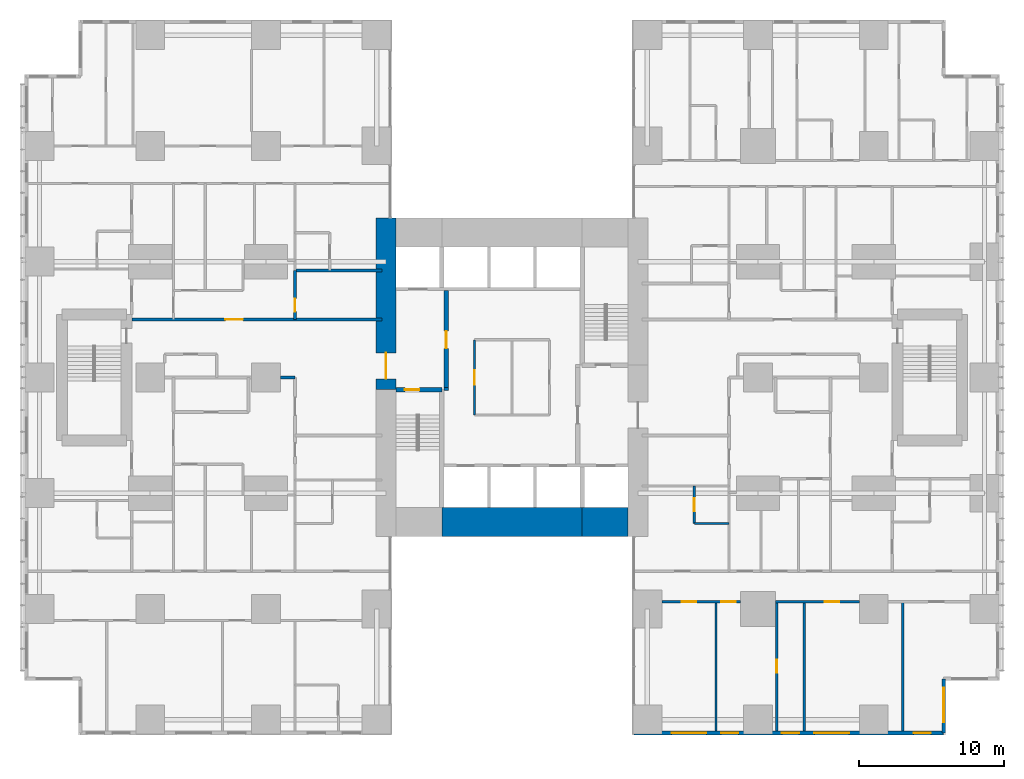
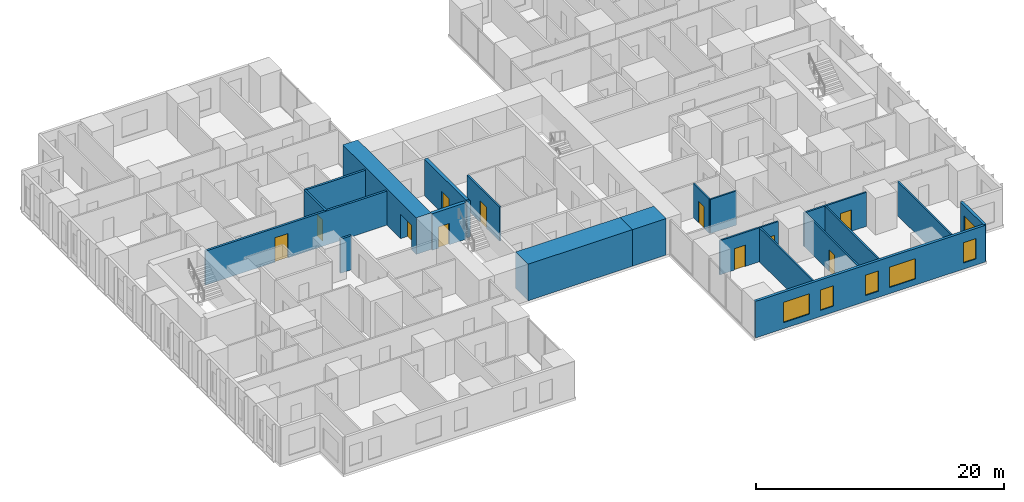
# One storey, part 14 of 21: 21 walls, 11 doors, 6 windows, 17 openings.
"""IFC4 building model written with IfcOpenShell, lengths in metres."""

from ifc_helpers import new_model, si_unit, direction, frame, frame_2d, origin, place, context, subcontext, project, spatial, rectangle, extrude, material, layer, layer_set, type_object, element, fill, save


model = new_model("IFC4")

# Units and contexts
model_context = context("Model", 3, precision=1e-05, world=origin(), true_north=direction((0.0, 1.0)))
body_context = subcontext(model_context, "Body", "Model", "MODEL_VIEW")
ifc_project = project(units=[si_unit("LENGTHUNIT", "METRE"), si_unit("AREAUNIT", "SQUARE_METRE"), si_unit("VOLUMEUNIT", "CUBIC_METRE"), si_unit("PLANEANGLEUNIT", "RADIAN"), si_unit("MASSUNIT", "GRAM", prefix="KILO")], contexts=[model_context])

# Site, building, storey
site_placement = place(None, origin())
site = spatial("IfcSite", under=ifc_project, at=site_placement, CompositionType="ELEMENT")
building_placement = place(site_placement, origin())
building = spatial("IfcBuilding", under=site, at=building_placement, Name="Cleftline Residences", CompositionType="ELEMENT")
storey_placement = place(building_placement, frame((0.0, 0.0, 65.60009765625)))
storey = spatial("IfcBuildingStorey", under=building, at=storey_placement, Name="L16", CompositionType="ELEMENT", Elevation=65.60009765625)

# Wall, opening, door
ifc_material_1 = material(Name="Concrete B70", Category="concrete")
ifc_layer_1 = layer(ifc_material_1, 1.39990234375)
ifc_layer_set_1 = layer_set([ifc_layer_1], Name="CORE WALL 1400")
wall_type_1 = type_object("IfcWallType", Name="CORE WALL 1400", PredefinedType="SHEAR", material=ifc_layer_set_1)
wall_1_placement = place(storey_placement, frame((24.300048828125, 23.14990234375, 0.0), z_axis=(0.0, 0.0, 1.0), x_axis=(0.0, 1.0, 0.0)))
wall_1 = element("IfcWall", 1, at=wall_1_placement, inside=storey, type_object=wall_type_1, Name="Core wall W", PredefinedType="SHEAR", context=body_context, shape_type="SweptSolid", body=[
    extrude(rectangle(XDim=11.85009765625, YDim=1.39990234375, at=frame_2d((5.925048828125, 0.0))), origin(), (0.0, 0.0, 1.0), 3.599853515625),
])
opening_1_placement = place(wall_1_placement, frame((0.75, 0.0, 0.0)))
opening_1 = element("IfcOpeningElement", 2, at=opening_1_placement, cuts=wall_1, Name="Opening D7", PredefinedType="OPENING", context=body_context, shape_type="SweptSolid", body=[
    extrude(rectangle(XDim=1.800048828125, YDim=2.39990234375, at=frame_2d((0.89990234375, 1.199951171875))), frame((0.0, 0.7099609375, 0.0), z_axis=(0.0, -1.0, 0.0), x_axis=(1.0, 0.0, 0.0)), (0.0, 0.0, 1.0), 1.419921875),
])
ifc_material_2 = material(Name="Steel", Category="steel")
door_type_1 = type_object("IfcDoorType", Name="WING DOOR 1800X2400", OperationType="DOUBLE_DOOR_DOUBLE_SWING", PredefinedType="DOOR", material=ifc_material_2)
door_1_placement = place(opening_1_placement, origin())
door_1 = element("IfcDoor", 3, at=door_1_placement, inside=storey, type_object=door_type_1, Name="West wing door", OperationType="DOUBLE_DOOR_DOUBLE_SWING", OverallHeight=2.39990234375, OverallWidth=1.800048828125, PredefinedType="DOOR", context=body_context, shape_type="SweptSolid", body=[
    extrude(rectangle(XDim=1.800048828125, YDim=2.39990234375, at=frame_2d((0.89990234375, 1.199951171875))), frame((0.0, 0.02490234375, 0.0), z_axis=(0.0, -1.0, 0.0), x_axis=(1.0, 0.0, 0.0)), (0.0, 0.0, 1.0), 0.050048828125),
])
fill(opening_1, door_1)

# Walls
ifc_material_3 = material(Name="Concrete B70", Category="concrete")
ifc_layer_2 = layer(ifc_material_3, 2.0)
ifc_layer_set_2 = layer_set([ifc_layer_2], Name="CORE WALL 2000")
wall_type_2 = type_object("IfcWallType", Name="CORE WALL 2000", PredefinedType="SHEAR", material=ifc_layer_set_2)
wall_2_placement = place(storey_placement, frame((28.14990234375, 14.0, 0.0), z_axis=(0.0, 0.0, 1.0), x_axis=(1.0, 0.0, 0.0)))
element("IfcWall", 4, at=wall_2_placement, inside=storey, type_object=wall_type_2, Name="Core wall S2", PredefinedType="SHEAR", context=body_context, shape_type="SweptSolid", body=[
    extrude(rectangle(XDim=9.7001953125, YDim=2.0, at=frame_2d((4.85009765625, 0.0))), origin(), (0.0, 0.0, 1.0), 3.599853515625),
])
wall_3_placement = place(storey_placement, frame((37.85009765625, 14.0, 0.0), z_axis=(0.0, 0.0, 1.0), x_axis=(1.0, 0.0, 0.0)))
element("IfcWall", 5, at=wall_3_placement, inside=storey, type_object=wall_type_2, Name="Core wall S3", PredefinedType="SHEAR", context=body_context, shape_type="SweptSolid", body=[
    extrude(rectangle(XDim=3.14990234375, YDim=2.0, at=frame_2d((1.574951171875, 0.0))), origin(), (0.0, 0.0, 1.0), 3.599853515625),
])

# Wall, opening, door
ifc_material_4 = material(Name="Concrete B70", Category="concrete")
ifc_layer_3 = layer(ifc_material_4, 0.300048828125)
ifc_layer_set_3 = layer_set([ifc_layer_3], Name="CORE WALL 300")
wall_type_3 = type_object("IfcWallType", Name="CORE WALL 300", PredefinedType="SHEAR", material=ifc_layer_set_3)
wall_4_placement = place(storey_placement, frame((25.0, 23.14990234375, 0.0), z_axis=(0.0, 0.0, 1.0), x_axis=(1.0, 0.0, 0.0)))
wall_4 = element("IfcWall", 6, at=wall_4_placement, inside=storey, type_object=wall_type_3, Name="Core wall SA-N", PredefinedType="SHEAR", context=body_context, shape_type="SweptSolid", body=[
    extrude(rectangle(XDim=3.14990234375, YDim=0.300048828125, at=frame_2d((1.574951171875, 0.0))), origin(), (0.0, 0.0, 1.0), 3.599853515625),
])
opening_2_placement = place(wall_4_placement, frame((0.60009765625, 0.0, 0.0)))
opening_2 = element("IfcOpeningElement", 7, at=opening_2_placement, cuts=wall_4, Name="Opening D5", PredefinedType="OPENING", context=body_context, shape_type="SweptSolid", body=[
    extrude(rectangle(XDim=1.0, YDim=2.10009765625, at=frame_2d((0.5, 1.050048828125))), frame((0.0, 0.159912109375, 0.0), z_axis=(0.0, -1.0, 0.0), x_axis=(1.0, 0.0, 0.0)), (0.0, 0.0, 1.0), 0.320068359375),
])
ifc_material_5 = material(Name="Steel", Category="steel")
door_type_2 = type_object("IfcDoorType", Name="STAIR DOOR 1000X2100", OperationType="SINGLE_SWING_LEFT", PredefinedType="DOOR", material=ifc_material_5)
door_2_placement = place(opening_2_placement, origin())
door_2 = element("IfcDoor", 8, at=door_2_placement, inside=storey, type_object=door_type_2, Name="Stair A door", OperationType="SINGLE_SWING_RIGHT", OverallHeight=2.10009765625, OverallWidth=1.0, PredefinedType="DOOR", context=body_context, shape_type="SweptSolid", body=[
    extrude(rectangle(XDim=1.0, YDim=2.10009765625, at=frame_2d((0.5, 1.050048828125))), frame((0.0, 0.02490234375, 0.0), z_axis=(0.0, -1.0, 0.0), x_axis=(1.0, 0.0, 0.0)), (0.0, 0.0, 1.0), 0.050048828125),
])
fill(opening_2, door_2)

# Wall, openings, windows
ifc_material_6 = material(Name="Rendered reinforced concrete blockwork", Category="masonry")
ifc_layer_4 = layer(ifc_material_6, 0.25)
ifc_layer_set_4 = layer_set([ifc_layer_4], Name="EXTERNAL WALL 250")
wall_type_4 = type_object("IfcWallType", Name="EXTERNAL WALL 250", PredefinedType="SOLIDWALL", material=ifc_layer_set_4)
wall_5_placement = place(storey_placement, frame((41.425048828125, -0.574951171875, 0.0), z_axis=(0.0, 0.0, 1.0), x_axis=(1.0, 0.0, 0.0)))
wall_5 = element("IfcWall", 9, at=wall_5_placement, inside=storey, type_object=wall_type_4, Name="External wall", PredefinedType="SOLIDWALL", context=body_context, shape_type="SweptSolid", body=[
    extrude(rectangle(XDim=21.39990234375, YDim=0.25, at=frame_2d((10.699951171875, 0.0))), origin(), (0.0, 0.0, 1.0), 3.599853515625),
])
opening_3_placement = place(wall_5_placement, frame((2.60009765625, 0.0, 0.60009765625)))
opening_3 = element("IfcOpeningElement", 10, at=opening_3_placement, cuts=wall_5, Name="Opening W6", PredefinedType="OPENING", context=body_context, shape_type="SweptSolid", body=[
    extrude(rectangle(XDim=2.39990234375, YDim=2.0, at=frame_2d((1.199951171875, 1.0))), frame((0.0, 0.135009765625, 0.0), z_axis=(0.0, -1.0, 0.0), x_axis=(1.0, 0.0, 0.0)), (0.0, 0.0, 1.0), 0.27001953125),
])
opening_4_placement = place(wall_5_placement, frame((6.02490234375, 0.0, 0.60009765625)))
opening_4 = element("IfcOpeningElement", 11, at=opening_4_placement, cuts=wall_5, Name="Opening W8", PredefinedType="OPENING", context=body_context, shape_type="SweptSolid", body=[
    extrude(rectangle(XDim=1.199951171875, YDim=2.0, at=frame_2d((0.60009765625, 1.0))), frame((0.0, 0.135009765625, 0.0), z_axis=(0.0, -1.0, 0.0), x_axis=(1.0, 0.0, 0.0)), (0.0, 0.0, 1.0), 0.27001953125),
])
opening_5_placement = place(wall_5_placement, frame((10.22509765625, 0.0, 0.60009765625)))
opening_5 = element("IfcOpeningElement", 12, at=opening_5_placement, cuts=wall_5, Name="Opening W8", PredefinedType="OPENING", context=body_context, shape_type="SweptSolid", body=[
    extrude(rectangle(XDim=1.199951171875, YDim=2.0, at=frame_2d((0.60009765625, 1.0))), frame((0.0, 0.135009765625, 0.0), z_axis=(0.0, -1.0, 0.0), x_axis=(1.0, 0.0, 0.0)), (0.0, 0.0, 1.0), 0.27001953125),
])
opening_6_placement = place(wall_5_placement, frame((12.47509765625, 0.0, 0.60009765625)))
opening_6 = element("IfcOpeningElement", 13, at=opening_6_placement, cuts=wall_5, Name="Opening W6", PredefinedType="OPENING", context=body_context, shape_type="SweptSolid", body=[
    extrude(rectangle(XDim=2.39990234375, YDim=2.0, at=frame_2d((1.199951171875, 1.0))), frame((0.0, 0.135009765625, 0.0), z_axis=(0.0, -1.0, 0.0), x_axis=(1.0, 0.0, 0.0)), (0.0, 0.0, 1.0), 0.27001953125),
])
opening_7_placement = place(wall_5_placement, frame((19.324951171875, 0.0, 0.60009765625)))
opening_7 = element("IfcOpeningElement", 14, at=opening_7_placement, cuts=wall_5, Name="Opening W8", PredefinedType="OPENING", context=body_context, shape_type="SweptSolid", body=[
    extrude(rectangle(XDim=1.199951171875, YDim=2.0, at=frame_2d((0.60009765625, 1.0))), frame((0.0, 0.135009765625, 0.0), z_axis=(0.0, -1.0, 0.0), x_axis=(1.0, 0.0, 0.0)), (0.0, 0.0, 1.0), 0.27001953125),
])
ifc_material_7 = material(Name="Aluminium frame, clear double glazing", Category="aluminium")
window_type_1 = type_object("IfcWindowType", Name="WINDOW 1200X2000", PartitioningType="DOUBLE_PANEL_VERTICAL", PredefinedType="WINDOW", material=ifc_material_7)
window_1_placement = place(opening_4_placement, origin())
window_1 = element("IfcWindow", 15, at=window_1_placement, inside=storey, type_object=window_type_1, Name="Window", OverallHeight=2.0, OverallWidth=1.199951171875, PartitioningType="SINGLE_PANEL", PredefinedType="WINDOW", context=body_context, shape_type="SweptSolid", body=[
    extrude(rectangle(XDim=1.199951171875, YDim=2.0, at=frame_2d((0.60009765625, 1.0))), frame((0.0, 0.030029296875, 0.0), z_axis=(0.0, -1.0, 0.0), x_axis=(1.0, 0.0, 0.0)), (0.0, 0.0, 1.0), 0.06005859375),
])
fill(opening_4, window_1)
window_2_placement = place(opening_5_placement, origin())
window_2 = element("IfcWindow", 16, at=window_2_placement, inside=storey, type_object=window_type_1, Name="Window", OverallHeight=2.0, OverallWidth=1.199951171875, PartitioningType="SINGLE_PANEL", PredefinedType="WINDOW", context=body_context, shape_type="SweptSolid", body=[
    extrude(rectangle(XDim=1.199951171875, YDim=2.0, at=frame_2d((0.60009765625, 1.0))), frame((0.0, 0.030029296875, 0.0), z_axis=(0.0, -1.0, 0.0), x_axis=(1.0, 0.0, 0.0)), (0.0, 0.0, 1.0), 0.06005859375),
])
fill(opening_5, window_2)
window_3_placement = place(opening_7_placement, origin())
window_3 = element("IfcWindow", 17, at=window_3_placement, inside=storey, type_object=window_type_1, Name="Window", OverallHeight=2.0, OverallWidth=1.199951171875, PartitioningType="SINGLE_PANEL", PredefinedType="WINDOW", context=body_context, shape_type="SweptSolid", body=[
    extrude(rectangle(XDim=1.199951171875, YDim=2.0, at=frame_2d((0.60009765625, 1.0))), frame((0.0, 0.030029296875, 0.0), z_axis=(0.0, -1.0, 0.0), x_axis=(1.0, 0.0, 0.0)), (0.0, 0.0, 1.0), 0.06005859375),
])
fill(opening_7, window_3)
ifc_material_8 = material(Name="Aluminium frame, clear double glazing", Category="aluminium")
window_type_2 = type_object("IfcWindowType", Name="WINDOW 2400X2000", PartitioningType="DOUBLE_PANEL_VERTICAL", PredefinedType="WINDOW", material=ifc_material_8)
window_4_placement = place(opening_3_placement, origin())
window_4 = element("IfcWindow", 18, at=window_4_placement, inside=storey, type_object=window_type_2, Name="Window", OverallHeight=2.0, OverallWidth=2.39990234375, PartitioningType="SINGLE_PANEL", PredefinedType="WINDOW", context=body_context, shape_type="SweptSolid", body=[
    extrude(rectangle(XDim=2.39990234375, YDim=2.0, at=frame_2d((1.199951171875, 1.0))), frame((0.0, 0.030029296875, 0.0), z_axis=(0.0, -1.0, 0.0), x_axis=(1.0, 0.0, 0.0)), (0.0, 0.0, 1.0), 0.06005859375),
])
fill(opening_3, window_4)
window_5_placement = place(opening_6_placement, origin())
window_5 = element("IfcWindow", 19, at=window_5_placement, inside=storey, type_object=window_type_2, Name="Window", OverallHeight=2.0, OverallWidth=2.39990234375, PartitioningType="SINGLE_PANEL", PredefinedType="WINDOW", context=body_context, shape_type="SweptSolid", body=[
    extrude(rectangle(XDim=2.39990234375, YDim=2.0, at=frame_2d((1.199951171875, 1.0))), frame((0.0, 0.030029296875, 0.0), z_axis=(0.0, -1.0, 0.0), x_axis=(1.0, 0.0, 0.0)), (0.0, 0.0, 1.0), 0.06005859375),
])
fill(opening_6, window_5)

# Wall, opening, window
wall_6_placement = place(storey_placement, frame((62.824951171875, -0.574951171875, 0.0), z_axis=(0.0, 0.0, 1.0), x_axis=(0.0, 1.0, 0.0)))
wall_6 = element("IfcWall", 20, at=wall_6_placement, inside=storey, type_object=wall_type_4, Name="External wall", PredefinedType="SOLIDWALL", context=body_context, shape_type="SweptSolid", body=[
    extrude(rectangle(XDim=3.75, YDim=0.25, at=frame_2d((1.875, 0.0))), origin(), (0.0, 0.0, 1.0), 3.599853515625),
])
opening_8_placement = place(wall_6_placement, frame((0.737548828125, 0.0, 0.60009765625)))
opening_8 = element("IfcOpeningElement", 21, at=opening_8_placement, cuts=wall_6, Name="Opening W6", PredefinedType="OPENING", context=body_context, shape_type="SweptSolid", body=[
    extrude(rectangle(XDim=2.39990234375, YDim=2.0, at=frame_2d((1.199951171875, 1.0))), frame((0.0, 0.135009765625, 0.0), z_axis=(0.0, -1.0, 0.0), x_axis=(1.0, 0.0, 0.0)), (0.0, 0.0, 1.0), 0.27001953125),
])
window_6_placement = place(opening_8_placement, origin())
window_6 = element("IfcWindow", 22, at=window_6_placement, inside=storey, type_object=window_type_2, Name="Window", OverallHeight=2.0, OverallWidth=2.39990234375, PartitioningType="SINGLE_PANEL", PredefinedType="WINDOW", context=body_context, shape_type="SweptSolid", body=[
    extrude(rectangle(XDim=2.39990234375, YDim=2.0, at=frame_2d((1.199951171875, 1.0))), frame((0.0, 0.030029296875, 0.0), z_axis=(0.0, -1.0, 0.0), x_axis=(1.0, 0.0, 0.0)), (0.0, 0.0, 1.0), 0.06005859375),
])
fill(opening_8, window_6)

# Wall
ifc_material_9 = material(Name="Concrete blockwork, fire rated", Category="masonry")
ifc_layer_5 = layer(ifc_material_9, 0.199951171875)
ifc_layer_set_5 = layer_set([ifc_layer_5], Name="FIRE WALL 200")
wall_type_5 = type_object("IfcWallType", Name="FIRE WALL 200", PredefinedType="PARTITIONING", material=ifc_layer_set_5)
wall_7_placement = place(storey_placement, frame((17.0, 24.0, 0.0), z_axis=(0.0, 0.0, 1.0), x_axis=(1.0, 0.0, 0.0)))
element("IfcWall", 23, at=wall_7_placement, inside=storey, type_object=wall_type_5, Name="Fire separating wall", PredefinedType="PARTITIONING", context=body_context, shape_type="SweptSolid", body=[
    extrude(rectangle(XDim=1.0, YDim=0.199951171875, at=frame_2d((0.5, 0.0))), origin(), (0.0, 0.0, 1.0), 3.349853515625),
])

# Wall, opening, door
wall_8_placement = place(storey_placement, frame((6.72509765625, 28.0, 0.0), z_axis=(0.0, 0.0, 1.0), x_axis=(1.0, 0.0, 0.0)))
wall_8 = element("IfcWall", 24, at=wall_8_placement, inside=storey, type_object=wall_type_5, Name="Fire separating wall", PredefinedType="PARTITIONING", context=body_context, shape_type="SweptSolid", body=[
    extrude(rectangle(XDim=17.27490234375, YDim=0.199951171875, at=frame_2d((8.637451171875, 0.0))), origin(), (0.0, 0.0, 1.0), 3.349853515625),
])
opening_9_placement = place(wall_8_placement, frame((6.47509765625, 0.0, 0.0)))
opening_9 = element("IfcOpeningElement", 25, at=opening_9_placement, cuts=wall_8, Name="Opening D4", PredefinedType="OPENING", context=body_context, shape_type="SweptSolid", body=[
    extrude(rectangle(XDim=1.199951171875, YDim=2.39990234375, at=frame_2d((0.60009765625, 1.199951171875))), frame((0.0, 0.10986328125, 0.0), z_axis=(0.0, -1.0, 0.0), x_axis=(1.0, 0.0, 0.0)), (0.0, 0.0, 1.0), 0.219970703125),
])
ifc_material_10 = material(Name="Timber veneer on solid core", Category="wood")
door_type_3 = type_object("IfcDoorType", Name="APARTMENT ENTRANCE DOOR 1200X2400", OperationType="SINGLE_SWING_RIGHT", PredefinedType="DOOR", material=ifc_material_10)
door_3_placement = place(opening_9_placement, origin())
door_3 = element("IfcDoor", 26, at=door_3_placement, inside=storey, type_object=door_type_3, Name="Door to residence entrance foyer", OperationType="SINGLE_SWING_RIGHT", OverallHeight=2.39990234375, OverallWidth=1.199951171875, PredefinedType="DOOR", context=body_context, shape_type="SweptSolid", body=[
    extrude(rectangle(XDim=1.199951171875, YDim=2.39990234375, at=frame_2d((0.60009765625, 1.199951171875))), frame((0.0, 0.02490234375, 0.0), z_axis=(0.0, -1.0, 0.0), x_axis=(1.0, 0.0, 0.0)), (0.0, 0.0, 1.0), 0.050048828125),
])
fill(opening_9, door_3)

# Wall
wall_9_placement = place(storey_placement, frame((18.0, 31.39990234375, 0.0), z_axis=(0.0, 0.0, 1.0), x_axis=(1.0, 0.0, 0.0)))
element("IfcWall", 27, at=wall_9_placement, inside=storey, type_object=wall_type_5, Name="Fire separating wall", PredefinedType="PARTITIONING", context=body_context, shape_type="SweptSolid", body=[
    extrude(rectangle(XDim=6.0, YDim=0.199951171875, at=frame_2d((3.0, 0.0))), origin(), (0.0, 0.0, 1.0), 3.349853515625),
])

# Wall, opening, door
wall_10_placement = place(storey_placement, frame((18.0, 28.0, 0.0), z_axis=(0.0, 0.0, 1.0), x_axis=(0.0, 1.0, 0.0)))
wall_10 = element("IfcWall", 28, at=wall_10_placement, inside=storey, type_object=wall_type_5, Name="Fire separating wall", PredefinedType="PARTITIONING", context=body_context, shape_type="SweptSolid", body=[
    extrude(rectangle(XDim=3.39990234375, YDim=0.199951171875, at=frame_2d((1.699951171875, 0.0))), origin(), (0.0, 0.0, 1.0), 3.349853515625),
])
opening_10_placement = place(wall_10_placement, frame((0.550048828125, 0.0, 0.0)))
opening_10 = element("IfcOpeningElement", 29, at=opening_10_placement, cuts=wall_10, Name="Opening D1F30", PredefinedType="OPENING", context=body_context, shape_type="SweptSolid", body=[
    extrude(rectangle(XDim=0.89990234375, YDim=2.10009765625, at=frame_2d((0.449951171875, 1.050048828125))), frame((0.0, 0.10986328125, 0.0), z_axis=(0.0, -1.0, 0.0), x_axis=(1.0, 0.0, 0.0)), (0.0, 0.0, 1.0), 0.219970703125),
])
ifc_material_11 = material(Name="Timber veneer on solid core", Category="wood")
door_type_4 = type_object("IfcDoorType", Name="DOOR 900X2100 EI 30", OperationType="SINGLE_SWING_LEFT", PredefinedType="DOOR", material=ifc_material_11)
door_4_placement = place(opening_10_placement, origin())
door_4 = element("IfcDoor", 30, at=door_4_placement, inside=storey, type_object=door_type_4, Name="Door to drying loggia and wc", OperationType="SINGLE_SWING_RIGHT", OverallHeight=2.10009765625, OverallWidth=0.89990234375, PredefinedType="DOOR", context=body_context, shape_type="SweptSolid", body=[
    extrude(rectangle(XDim=0.89990234375, YDim=2.10009765625, at=frame_2d((0.449951171875, 1.050048828125))), frame((0.0, 0.02490234375, 0.0), z_axis=(0.0, -1.0, 0.0), x_axis=(1.0, 0.0, 0.0)), (0.0, 0.0, 1.0), 0.050048828125),
])
fill(opening_10, door_4)

# Wall
wall_11_placement = place(storey_placement, frame((28.300048828125, 23.199951171875, 0.0), z_axis=(0.0, 0.0, 1.0), x_axis=(1.0, 0.0, 0.0)))
element("IfcWall", 31, at=wall_11_placement, inside=storey, type_object=wall_type_5, Name="Fire separating wall", PredefinedType="PARTITIONING", context=body_context, shape_type="SweptSolid", body=[
    extrude(rectangle(XDim=0.300048828125, YDim=0.199951171875, at=frame_2d((0.14990234375, 0.0))), origin(), (0.0, 0.0, 1.0), 3.599853515625),
])

# Wall, openings, doors
ifc_material_12 = material(Name="Gypsum board on steel studs", Category="steel")
ifc_layer_6 = layer(ifc_material_12, 0.14990234375)
ifc_layer_set_6 = layer_set([ifc_layer_6], Name="PARTITION 150")
wall_type_6 = type_object("IfcWallType", Name="PARTITION 150", PredefinedType="PARTITIONING", material=ifc_layer_set_6)
wall_12_placement = place(storey_placement, frame((43.35009765625, 8.5, 0.0), z_axis=(0.0, 0.0, 1.0), x_axis=(1.0, 0.0, 0.0)))
wall_12 = element("IfcWall", 32, at=wall_12_placement, inside=storey, type_object=wall_type_6, Name="Partition", PredefinedType="PARTITIONING", context=body_context, shape_type="SweptSolid", body=[
    extrude(rectangle(XDim=5.449951171875, YDim=0.14990234375, at=frame_2d((2.72509765625, 0.0))), origin(), (0.0, 0.0, 1.0), 3.349853515625),
])
opening_11_placement = place(wall_12_placement, frame((4.10009765625, 0.0, 0.0)))
opening_11 = element("IfcOpeningElement", 33, at=opening_11_placement, cuts=wall_12, Name="Opening D2", PredefinedType="OPENING", context=body_context, shape_type="SweptSolid", body=[
    extrude(rectangle(XDim=1.0, YDim=2.10009765625, at=frame_2d((0.5, 1.050048828125))), frame((0.0, 0.0849609375, 0.0), z_axis=(0.0, -1.0, 0.0), x_axis=(1.0, 0.0, 0.0)), (0.0, 0.0, 1.0), 0.169921875),
])
opening_12_placement = place(wall_12_placement, frame((1.375, 0.0, 0.0)))
opening_12 = element("IfcOpeningElement", 34, at=opening_12_placement, cuts=wall_12, Name="Opening D2", PredefinedType="OPENING", context=body_context, shape_type="SweptSolid", body=[
    extrude(rectangle(XDim=1.0, YDim=2.10009765625, at=frame_2d((0.5, 1.050048828125))), frame((0.0, 0.0849609375, 0.0), z_axis=(0.0, -1.0, 0.0), x_axis=(1.0, 0.0, 0.0)), (0.0, 0.0, 1.0), 0.169921875),
])
ifc_material_13 = material(Name="Timber veneer on solid core", Category="wood")
door_type_5 = type_object("IfcDoorType", Name="DOOR 1000X2100", OperationType="SINGLE_SWING_LEFT", PredefinedType="DOOR", material=ifc_material_13)
door_5_placement = place(opening_11_placement, origin())
door_5 = element("IfcDoor", 35, at=door_5_placement, inside=storey, type_object=door_type_5, Name="Door to bedroom 2", OperationType="SINGLE_SWING_LEFT", OverallHeight=2.10009765625, OverallWidth=1.0, PredefinedType="DOOR", context=body_context, shape_type="SweptSolid", body=[
    extrude(rectangle(XDim=1.0, YDim=2.10009765625, at=frame_2d((0.5, 1.050048828125))), frame((0.0, 0.02490234375, 0.0), z_axis=(0.0, -1.0, 0.0), x_axis=(1.0, 0.0, 0.0)), (0.0, 0.0, 1.0), 0.050048828125),
])
fill(opening_11, door_5)
door_6_placement = place(opening_12_placement, origin())
door_6 = element("IfcDoor", 36, at=door_6_placement, inside=storey, type_object=door_type_5, Name="Door to bedroom 2 sitting room", OperationType="SINGLE_SWING_RIGHT", OverallHeight=2.10009765625, OverallWidth=1.0, PredefinedType="DOOR", context=body_context, shape_type="SweptSolid", body=[
    extrude(rectangle(XDim=1.0, YDim=2.10009765625, at=frame_2d((0.5, 1.050048828125))), frame((0.0, 0.02490234375, 0.0), z_axis=(0.0, -1.0, 0.0), x_axis=(1.0, 0.0, 0.0)), (0.0, 0.0, 1.0), 0.050048828125),
])
fill(opening_12, door_6)

# Wall, opening, door
wall_13_placement = place(storey_placement, frame((51.199951171875, 8.5, 0.0), z_axis=(0.0, 0.0, 1.0), x_axis=(1.0, 0.0, 0.0)))
wall_13 = element("IfcWall", 37, at=wall_13_placement, inside=storey, type_object=wall_type_6, Name="Partition", PredefinedType="PARTITIONING", context=body_context, shape_type="SweptSolid", body=[
    extrude(rectangle(XDim=5.800048828125, YDim=0.14990234375, at=frame_2d((2.89990234375, 0.0))), origin(), (0.0, 0.0, 1.0), 3.349853515625),
])
opening_13_placement = place(wall_13_placement, frame((3.39990234375, 0.0, 0.0)))
opening_13 = element("IfcOpeningElement", 38, at=opening_13_placement, cuts=wall_13, Name="Opening D2", PredefinedType="OPENING", context=body_context, shape_type="SweptSolid", body=[
    extrude(rectangle(XDim=1.0, YDim=2.10009765625, at=frame_2d((0.5, 1.050048828125))), frame((0.0, 0.0849609375, 0.0), z_axis=(0.0, -1.0, 0.0), x_axis=(1.0, 0.0, 0.0)), (0.0, 0.0, 1.0), 0.169921875),
])
door_7_placement = place(opening_13_placement, origin())
door_7 = element("IfcDoor", 39, at=door_7_placement, inside=storey, type_object=door_type_5, Name="Door to living room", OperationType="SINGLE_SWING_LEFT", OverallHeight=2.10009765625, OverallWidth=1.0, PredefinedType="DOOR", context=body_context, shape_type="SweptSolid", body=[
    extrude(rectangle(XDim=1.0, YDim=2.10009765625, at=frame_2d((0.5, 1.050048828125))), frame((0.0, 0.02490234375, 0.0), z_axis=(0.0, -1.0, 0.0), x_axis=(1.0, 0.0, 0.0)), (0.0, 0.0, 1.0), 0.050048828125),
])
fill(opening_13, door_7)

# Wall
wall_14_placement = place(storey_placement, frame((45.60009765625, 13.89990234375, 0.0), z_axis=(0.0, 0.0, 1.0), x_axis=(1.0, 0.0, 0.0)))
element("IfcWall", 40, at=wall_14_placement, inside=storey, type_object=wall_type_6, Name="Partition", PredefinedType="PARTITIONING", context=body_context, shape_type="SweptSolid", body=[
    extrude(rectangle(XDim=2.39990234375, YDim=0.14990234375, at=frame_2d((1.199951171875, 0.0))), origin(), (0.0, 0.0, 1.0), 3.349853515625),
])

# Wall, opening, door
wall_15_placement = place(storey_placement, frame((45.60009765625, 13.89990234375, 0.0), z_axis=(0.0, 0.0, 1.0), x_axis=(0.0, 1.0, 0.0)))
wall_15 = element("IfcWall", 41, at=wall_15_placement, inside=storey, type_object=wall_type_6, Name="Partition", PredefinedType="PARTITIONING", context=body_context, shape_type="SweptSolid", body=[
    extrude(rectangle(XDim=2.60009765625, YDim=0.14990234375, at=frame_2d((1.300048828125, 0.0))), origin(), (0.0, 0.0, 1.0), 3.349853515625),
])
opening_14_placement = place(wall_15_placement, frame((0.85009765625, 0.0, 0.0)))
opening_14 = element("IfcOpeningElement", 42, at=opening_14_placement, cuts=wall_15, Name="Opening D1", PredefinedType="OPENING", context=body_context, shape_type="SweptSolid", body=[
    extrude(rectangle(XDim=0.89990234375, YDim=2.10009765625, at=frame_2d((0.449951171875, 1.050048828125))), frame((0.0, 0.0849609375, 0.0), z_axis=(0.0, -1.0, 0.0), x_axis=(1.0, 0.0, 0.0)), (0.0, 0.0, 1.0), 0.169921875),
])
ifc_material_14 = material(Name="Timber veneer on solid core", Category="wood")
door_type_6 = type_object("IfcDoorType", Name="DOOR 900X2100", OperationType="SINGLE_SWING_LEFT", PredefinedType="DOOR", material=ifc_material_14)
door_8_placement = place(opening_14_placement, origin())
door_8 = element("IfcDoor", 43, at=door_8_placement, inside=storey, type_object=door_type_6, Name="Door to en-suite bathroom 3", OperationType="SINGLE_SWING_LEFT", OverallHeight=2.10009765625, OverallWidth=0.89990234375, PredefinedType="DOOR", context=body_context, shape_type="SweptSolid", body=[
    extrude(rectangle(XDim=0.89990234375, YDim=2.10009765625, at=frame_2d((0.449951171875, 1.050048828125))), frame((0.0, 0.02490234375, 0.0), z_axis=(0.0, -1.0, 0.0), x_axis=(1.0, 0.0, 0.0)), (0.0, 0.0, 1.0), 0.050048828125),
])
fill(opening_14, door_8)

# Wall
wall_16_placement = place(storey_placement, frame((47.10009765625, -0.449951171875, 0.0), z_axis=(0.0, 0.0, 1.0), x_axis=(0.0, 1.0, 0.0)))
element("IfcWall", 44, at=wall_16_placement, inside=storey, type_object=wall_type_6, Name="Partition", PredefinedType="PARTITIONING", context=body_context, shape_type="SweptSolid", body=[
    extrude(rectangle(XDim=8.949951171875, YDim=0.14990234375, at=frame_2d((4.47509765625, 0.0))), origin(), (0.0, 0.0, 1.0), 3.349853515625),
])

# Wall, opening, door
wall_17_placement = place(storey_placement, frame((51.300048828125, -0.449951171875, 0.0), z_axis=(0.0, 0.0, 1.0), x_axis=(0.0, 1.0, 0.0)))
wall_17 = element("IfcWall", 45, at=wall_17_placement, inside=storey, type_object=wall_type_6, Name="Partition", PredefinedType="PARTITIONING", context=body_context, shape_type="SweptSolid", body=[
    extrude(rectangle(XDim=8.949951171875, YDim=0.14990234375, at=frame_2d((4.47509765625, 0.0))), origin(), (0.0, 0.0, 1.0), 3.349853515625),
])
opening_15_placement = place(wall_17_placement, frame((4.02490234375, 0.0, 0.0)))
opening_15 = element("IfcOpeningElement", 46, at=opening_15_placement, cuts=wall_17, Name="Opening D1", PredefinedType="OPENING", context=body_context, shape_type="SweptSolid", body=[
    extrude(rectangle(XDim=0.89990234375, YDim=2.10009765625, at=frame_2d((0.449951171875, 1.050048828125))), frame((0.0, 0.0849609375, 0.0), z_axis=(0.0, -1.0, 0.0), x_axis=(1.0, 0.0, 0.0)), (0.0, 0.0, 1.0), 0.169921875),
])
door_9_placement = place(opening_15_placement, origin())
door_9 = element("IfcDoor", 47, at=door_9_placement, inside=storey, type_object=door_type_6, Name="Door to en-suite bathroom 2", OperationType="SINGLE_SWING_LEFT", OverallHeight=2.10009765625, OverallWidth=0.89990234375, PredefinedType="DOOR", context=body_context, shape_type="SweptSolid", body=[
    extrude(rectangle(XDim=0.89990234375, YDim=2.10009765625, at=frame_2d((0.449951171875, 1.050048828125))), frame((0.0, 0.02490234375, 0.0), z_axis=(0.0, -1.0, 0.0), x_axis=(1.0, 0.0, 0.0)), (0.0, 0.0, 1.0), 0.050048828125),
])
fill(opening_15, door_9)

# Walls
for number, where, z_axis, x_axis, name in (
    (48, (53.199951171875, -0.449951171875, 0.0), (0.0, 0.0, 1.0), (0.0, 1.0, 0.0), "Partition"),
    (49, (60.0, -0.449951171875, 0.0), (0.0, 0.0, 1.0), (0.0, 1.0, 0.0), "Partition"),
):
    element("IfcWall", number, at=place(storey_placement, frame(where, z_axis=z_axis, x_axis=x_axis)), inside=storey, type_object=wall_type_6, Name=name, PredefinedType="PARTITIONING", context=body_context, shape_type="SweptSolid", body=[
        extrude(rectangle(XDim=8.949951171875, YDim=0.14990234375, at=frame_2d((4.47509765625, 0.0))), origin(), (0.0, 0.0, 1.0), 3.349853515625),
    ])

# Wall, opening, door
ifc_material_15 = material(Name="Fire-resisting gypsum board on steel studs", Category="steel")
ifc_layer_7 = layer(ifc_material_15, 0.14990234375)
ifc_layer_set_7 = layer_set([ifc_layer_7], Name="PARTITION 150 EI 60")
wall_type_7 = type_object("IfcWallType", Name="PARTITION 150 EI 60", PredefinedType="PARTITIONING", material=ifc_layer_set_7)
wall_18_placement = place(storey_placement, frame((30.39990234375, 21.39990234375, 0.0), z_axis=(0.0, 0.0, 1.0), x_axis=(0.0, 1.0, 0.0)))
wall_18 = element("IfcWall", 50, at=wall_18_placement, inside=storey, type_object=wall_type_7, Name="Core room partition", PredefinedType="PARTITIONING", context=body_context, shape_type="SweptSolid", body=[
    extrude(rectangle(XDim=5.2001953125, YDim=0.14990234375, at=frame_2d((2.60009765625, 0.0))), origin(), (0.0, 0.0, 1.0), 3.349853515625),
])
opening_16_placement = place(wall_18_placement, frame((2.10009765625, 0.0, 0.0)))
opening_16 = element("IfcOpeningElement", 51, at=opening_16_placement, cuts=wall_18, Name="Opening D2F60", PredefinedType="OPENING", context=body_context, shape_type="SweptSolid", body=[
    extrude(rectangle(XDim=1.0, YDim=2.10009765625, at=frame_2d((0.5, 1.050048828125))), frame((0.0, 0.0849609375, 0.0), z_axis=(0.0, -1.0, 0.0), x_axis=(1.0, 0.0, 0.0)), (0.0, 0.0, 1.0), 0.169921875),
])
ifc_material_16 = material(Name="Timber veneer on solid core", Category="wood")
door_type_7 = type_object("IfcDoorType", Name="DOOR 1000X2100 EI 60", OperationType="SINGLE_SWING_LEFT", PredefinedType="DOOR", material=ifc_material_16)
door_10_placement = place(opening_16_placement, origin())
door_10 = element("IfcDoor", 52, at=door_10_placement, inside=storey, type_object=door_type_7, Name="Door to communications room", OperationType="SINGLE_SWING_LEFT", OverallHeight=2.10009765625, OverallWidth=1.0, PredefinedType="DOOR", context=body_context, shape_type="SweptSolid", body=[
    extrude(rectangle(XDim=1.0, YDim=2.10009765625, at=frame_2d((0.5, 1.050048828125))), frame((0.0, 0.02490234375, 0.0), z_axis=(0.0, -1.0, 0.0), x_axis=(1.0, 0.0, 0.0)), (0.0, 0.0, 1.0), 0.050048828125),
])
fill(opening_16, door_10)

ifc_material_17 = material(Name="Concrete blockwork, fire rated", Category="masonry")
ifc_layer_8 = layer(ifc_material_17, 0.300048828125)
ifc_layer_set_8 = layer_set([ifc_layer_8], Name="STAIR LOBBY WALL 300")
wall_type_8 = type_object("IfcWallType", Name="STAIR LOBBY WALL 300", PredefinedType="PARTITIONING", material=ifc_layer_set_8)
wall_19_placement = place(storey_placement, frame((28.449951171875, 23.300048828125, 0.0), z_axis=(0.0, 0.0, 1.0), x_axis=(0.0, 1.0, 0.0)))
wall_19 = element("IfcWall", 53, at=wall_19_placement, inside=storey, type_object=wall_type_8, Name="Stair and lobby wall FA-E", PredefinedType="PARTITIONING", context=body_context, shape_type="SweptSolid", body=[
    extrude(rectangle(XDim=6.699951171875, YDim=0.300048828125, at=frame_2d((3.35009765625, 0.0))), origin(), (0.0, 0.0, 1.0), 3.599853515625),
])
opening_17_placement = place(wall_19_placement, frame((2.699951171875, 0.0, 0.0)))
opening_17 = element("IfcOpeningElement", 54, at=opening_17_placement, cuts=wall_19, Name="Opening D6", PredefinedType="OPENING", context=body_context, shape_type="SweptSolid", body=[
    extrude(rectangle(XDim=1.199951171875, YDim=2.10009765625, at=frame_2d((0.60009765625, 1.050048828125))), frame((0.0, 0.159912109375, 0.0), z_axis=(0.0, -1.0, 0.0), x_axis=(1.0, 0.0, 0.0)), (0.0, 0.0, 1.0), 0.320068359375),
])
ifc_material_18 = material(Name="Steel", Category="steel")
door_type_8 = type_object("IfcDoorType", Name="LOBBY DOOR 1200X2100", OperationType="SINGLE_SWING_RIGHT", PredefinedType="DOOR", material=ifc_material_18)
door_11_placement = place(opening_17_placement, origin())
door_11 = element("IfcDoor", 55, at=door_11_placement, inside=storey, type_object=door_type_8, Name="Firefighting lobby A door", OperationType="SINGLE_SWING_RIGHT", OverallHeight=2.10009765625, OverallWidth=1.199951171875, PredefinedType="DOOR", context=body_context, shape_type="SweptSolid", body=[
    extrude(rectangle(XDim=1.199951171875, YDim=2.10009765625, at=frame_2d((0.60009765625, 1.050048828125))), frame((0.0, 0.02490234375, 0.0), z_axis=(0.0, -1.0, 0.0), x_axis=(1.0, 0.0, 0.0)), (0.0, 0.0, 1.0), 0.050048828125),
])
fill(opening_17, door_11)

save(model, "model.ifc")
